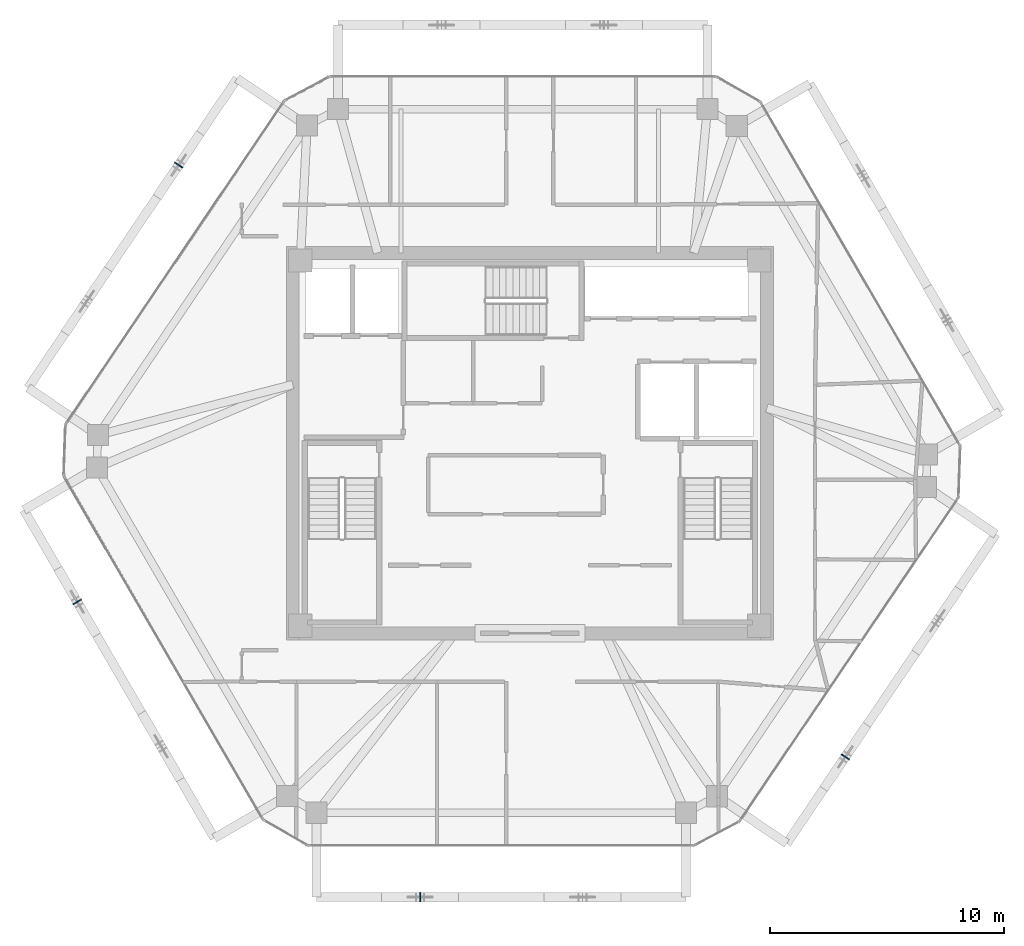
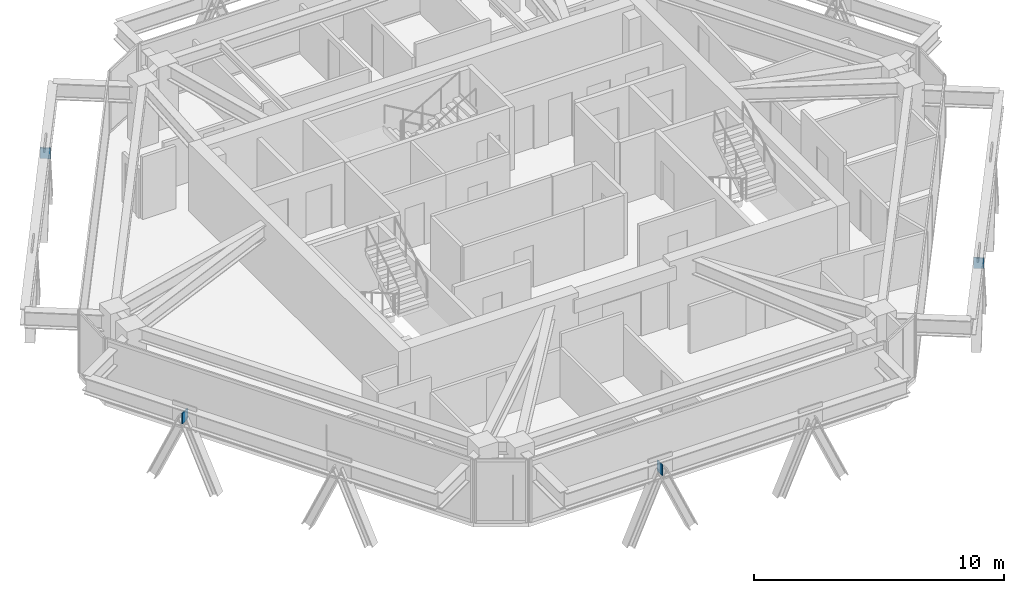
# One storey, part 8 of 13: 4 plates.
"""IFC4 building model written with IfcOpenShell, lengths in metres."""

from ifc_helpers import new_model, si_unit, direction, frame, origin, origin_2d, place, context, subcontext, project, spatial, rectangle, extrude, source, transform, mapped, material, layer, layer_set, type_object, type_shapes, element, save


model = new_model("IFC4")

# Units and contexts
model_context = context("Model", 3, precision=1e-05, world=origin(), true_north=direction((0.0, 1.0)))
body_context = subcontext(model_context, "Body", "Model", "MODEL_VIEW")
ifc_project = project(units=[si_unit("LENGTHUNIT", "METRE"), si_unit("AREAUNIT", "SQUARE_METRE"), si_unit("VOLUMEUNIT", "CUBIC_METRE"), si_unit("PLANEANGLEUNIT", "RADIAN"), si_unit("MASSUNIT", "GRAM", prefix="KILO")], contexts=[model_context])

# Site, building, storey
site_placement = place(None, origin())
site = spatial("IfcSite", under=ifc_project, at=site_placement, CompositionType="ELEMENT")
building_placement = place(site_placement, origin())
building = spatial("IfcBuilding", under=site, at=building_placement, Name="Durnholm Broadcast Tower", CompositionType="ELEMENT")
storey_placement = place(building_placement, frame((0.0, 0.0, 228.199951171875)))
storey = spatial("IfcBuildingStorey", under=building, at=storey_placement, Name="L63", CompositionType="ELEMENT", Elevation=228.199951171875)

# Plates
ifc_material = material(Name="Steel ASTM A572 Grade 50", Category="steel")
ifc_layer = layer(ifc_material, 0.044921875)
ifc_layer_set = layer_set([ifc_layer], Name="Steel ASTM A572 Grade 50")
plate_type = type_object("IfcPlateType", Name="PLT-KN-STIF", PredefinedType="SHEET", material=ifc_layer_set)
shared_shape = source(origin(), body_context, "Body", "SweptSolid", [
    extrude(rectangle(XDim=0.044921875, YDim=0.419921875, at=origin_2d()), origin(), (0.0, 0.0, 1.0), 0.52001953125),
])
type_shapes(plate_type, [shared_shape])
for number, where, z_axis, x_axis, name in (
    (1, (-4.688720703125, -19.385986328125, 2.048583984375), (0.0, 0.0, 1.0), (1.0, 0.0, 0.0), "L63 welded diagrid node stiffener plate F1"),
    (2, (13.47412109375, -13.398193359375, 2.048583984375), (0.0, 0.0, 1.0), (0.560060762816, 0.828451532652, 0.0), "L63 welded diagrid node stiffener plate F2"),
    (3, (-14.998046875, 11.874267578125, 2.048583984375), (0.0, 0.0, 1.0), (-0.560060762816, -0.828451532652, 0.0), "L63 welded diagrid node stiffener plate F5"),
    (4, (-19.330810546875, -6.77880859375, 2.048583984375), (0.0, 0.0, 1.0), (0.501963660617, -0.864888711581, 0.0), "L63 welded diagrid node stiffener plate F6"),
):
    element("IfcPlate", number, at=place(storey_placement, frame(where, z_axis=z_axis, x_axis=x_axis)), inside=storey, type_object=plate_type, Name=name, PredefinedType="SHEET", context=body_context, shape_type="MappedRepresentation", body=[
        mapped(shared_shape, transform((0.0, 0.0, 0.0), x_axis=(1.0, 0.0, 0.0), y_axis=(0.0, 1.0, 0.0), z_axis=(0.0, 0.0, 1.0), scale=1.0)),
    ])

save(model, "model.ifc")
